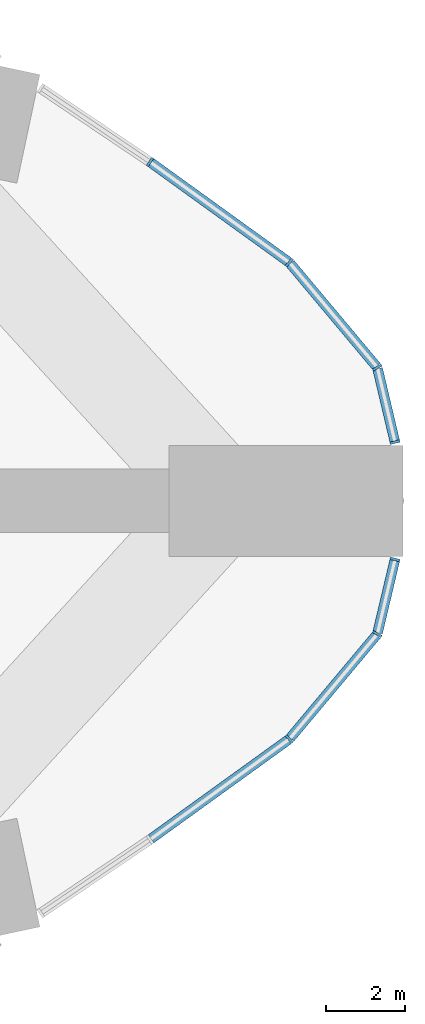
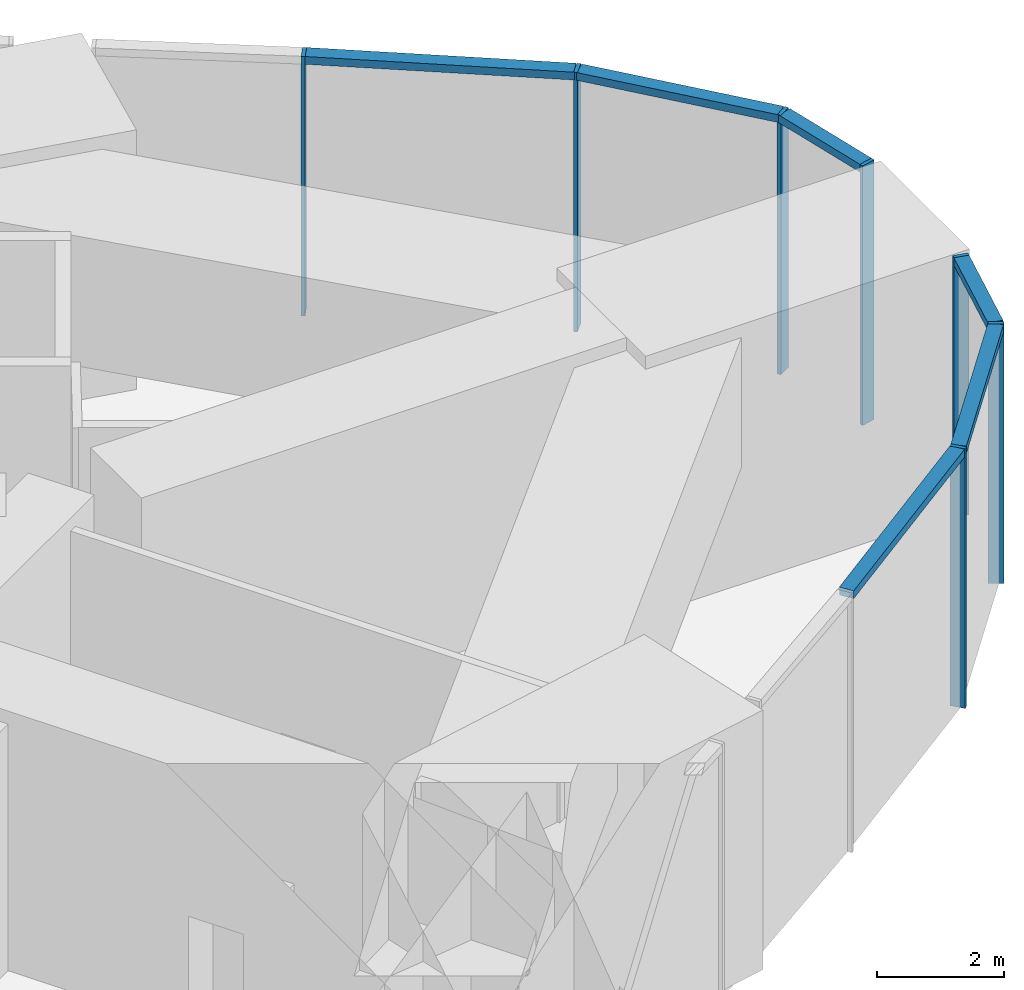
# One storey, part 13 of 21: 13 members, 2 elements without a shape of their own.
"""IFC4 building model written with IfcOpenShell, lengths in metres."""

from ifc_helpers import new_model, si_unit, direction, frame, origin, origin_2d, place, context, subcontext, project, spatial, rectangle, extrude, material, material_profile, profile_set, type_object, element, aggregate, save


model = new_model("IFC4")

# Units and contexts
model_context = context("Model", 3, precision=1e-05, world=origin(), true_north=direction((0.0, 1.0)))
body_context = subcontext(model_context, "Body", "Model", "MODEL_VIEW")
ifc_project = project(units=[si_unit("LENGTHUNIT", "METRE"), si_unit("AREAUNIT", "SQUARE_METRE"), si_unit("VOLUMEUNIT", "CUBIC_METRE"), si_unit("PLANEANGLEUNIT", "RADIAN"), si_unit("MASSUNIT", "GRAM", prefix="KILO")], contexts=[model_context])

# Site, building, storey
site_placement = place(None, origin())
site = spatial("IfcSite", under=ifc_project, at=site_placement, CompositionType="ELEMENT")
building_placement = place(site_placement, origin())
building = spatial("IfcBuilding", under=site, at=building_placement, Name="Lancet Gate Hotel", CompositionType="ELEMENT")
storey_placement = place(building_placement, frame((0.0, 0.0, 205.300048828125)))
storey = spatial("IfcBuildingStorey", under=building, at=storey_placement, Name="L55", CompositionType="ELEMENT", Elevation=205.300048828125)

# Curtain wall, members
ifc_material_1 = material(Name="Aluminium curtain wall", Category="aluminium")
curtain_wall_type = type_object("IfcCurtainWallType", Name="Refuge storey louvred curtain wall", PredefinedType="USERDEFINED", material=ifc_material_1)
curtain_wall_1_placement = place(storey_placement, origin())
curtain_wall_1 = element("IfcCurtainWall", 1, at=curtain_wall_1_placement, inside=storey, type_object=curtain_wall_type, Name="T2 L55 curtain wall 5", ObjectType="LANTERN GLAZING", PredefinedType="USERDEFINED")
ifc_material_2 = material(Name="Aluminium mullion", Category="aluminium")
ifc_material_profile_1 = material_profile(ifc_material_2, rectangle(XDim=0.06494140625, YDim=0.25, at=origin_2d()), Name="MULLION 65x250")
ifc_profile_set_1 = profile_set([ifc_material_profile_1], Name="Aluminium mullion")
member_type_1 = type_object("IfcMemberType", Name="Aluminium mullion 65x250", PredefinedType="MULLION", material=ifc_profile_set_1)
member_1_placement = place(storey_placement, frame((64.174560546875, -6.01123046875, 0.0), z_axis=(0.0, 0.0, 1.0), x_axis=(0.741693452951, 0.670739011725, 0.0)))
member_1 = element("IfcMember", 2, at=member_1_placement, type_object=member_type_1, Name="T2 L55 curtain wall 5 mullion 3", PredefinedType="MULLION", context=body_context, shape_type="SweptSolid", body=[
    extrude(rectangle(XDim=0.06494140625, YDim=0.25, at=origin_2d()), origin(), (0.0, 0.0, 1.0), 5.0),
])
member_2_placement = place(storey_placement, frame((66.3935546875, -3.362548828125, 0.0), z_axis=(0.0, 0.0, 1.0), x_axis=(0.506941142376, 0.861980671574, 0.0)))
member_2 = element("IfcMember", 3, at=member_2_placement, type_object=member_type_1, Name="T2 L55 curtain wall 5 mullion 4", PredefinedType="MULLION", context=body_context, shape_type="SweptSolid", body=[
    extrude(rectangle(XDim=0.06494140625, YDim=0.25, at=origin_2d()), origin(), (0.0, 0.0, 1.0), 5.0),
])
member_3_placement = place(storey_placement, frame((66.839111328125, -1.48046875, 0.0), z_axis=(0.0, 0.0, 1.0), x_axis=(0.230366568544, 0.973103922558, 0.0)))
member_3 = element("IfcMember", 4, at=member_3_placement, type_object=member_type_1, Name="T2 L55 curtain wall 5 mullion 5", PredefinedType="MULLION", context=body_context, shape_type="SweptSolid", body=[
    extrude(rectangle(XDim=0.06494140625, YDim=0.25, at=origin_2d()), origin(), (0.0, 0.0, 1.0), 5.0),
])

curtain_wall_2_placement = place(storey_placement, origin())
curtain_wall_2 = element("IfcCurtainWall", 5, at=curtain_wall_2_placement, inside=storey, type_object=curtain_wall_type, Name="T2 L55 curtain wall 6", ObjectType="LANTERN GLAZING", PredefinedType="USERDEFINED")
member_4_placement = place(storey_placement, frame((66.839111328125, 1.48046875, 0.0), z_axis=(0.0, 0.0, 1.0), x_axis=(-0.230366568544, 0.973103922558, 0.0)))
member_4 = element("IfcMember", 6, at=member_4_placement, type_object=member_type_1, Name="T2 L55 curtain wall 6 mullion 1", PredefinedType="MULLION", context=body_context, shape_type="SweptSolid", body=[
    extrude(rectangle(XDim=0.06494140625, YDim=0.25, at=origin_2d()), origin(), (0.0, 0.0, 1.0), 5.0),
])
member_5_placement = place(storey_placement, frame((66.3935546875, 3.362548828125, 0.0), z_axis=(0.0, 0.0, 1.0), x_axis=(-0.506941142376, 0.861980671574, 0.0)))
member_5 = element("IfcMember", 7, at=member_5_placement, type_object=member_type_1, Name="T2 L55 curtain wall 6 mullion 2", PredefinedType="MULLION", context=body_context, shape_type="SweptSolid", body=[
    extrude(rectangle(XDim=0.06494140625, YDim=0.25, at=origin_2d()), origin(), (0.0, 0.0, 1.0), 5.0),
])
member_6_placement = place(storey_placement, frame((64.174560546875, 6.01123046875, 0.0), z_axis=(0.0, 0.0, 1.0), x_axis=(-0.741693452951, 0.670739011725, 0.0)))
member_6 = element("IfcMember", 8, at=member_6_placement, type_object=member_type_1, Name="T2 L55 curtain wall 6 mullion 3", PredefinedType="MULLION", context=body_context, shape_type="SweptSolid", body=[
    extrude(rectangle(XDim=0.06494140625, YDim=0.25, at=origin_2d()), origin(), (0.0, 0.0, 1.0), 5.0),
])
member_7_placement = place(storey_placement, frame((60.66015625, 8.547607421875, 0.0), z_axis=(0.0, 0.0, 1.0), x_axis=(-0.818865629358, 0.573985262055, 0.0)))
member_7 = element("IfcMember", 9, at=member_7_placement, type_object=member_type_1, Name="T2 L55 curtain wall 6 mullion 4", PredefinedType="MULLION", context=body_context, shape_type="SweptSolid", body=[
    extrude(rectangle(XDim=0.06494140625, YDim=0.25, at=origin_2d()), origin(), (0.0, 0.0, 1.0), 5.0),
])

# Member
ifc_material_3 = material(Name="Aluminium transom", Category="aluminium")
ifc_material_profile_2 = material_profile(ifc_material_3, rectangle(XDim=0.25, YDim=0.14990234375, at=origin_2d()), Name="TRANSOM 250x150")
ifc_profile_set_2 = profile_set([ifc_material_profile_2], Name="Aluminium transom")
member_type_2 = type_object("IfcMemberType", Name="Aluminium transom 250x150", PredefinedType="USERDEFINED", material=ifc_profile_set_2)
member_8_placement = place(storey_placement, frame((60.6865234375, -8.528564453125, 4.925048828125), z_axis=(0.810879747578, 0.585212811691, 0.0), x_axis=(-0.585212811691, 0.810879747578, 0.0)))
member_8 = element("IfcMember", 10, at=member_8_placement, type_object=member_type_2, Name="T2 L55 curtain wall 5 transom 2", ObjectType="TRANSOM", PredefinedType="USERDEFINED", context=body_context, shape_type="SweptSolid", body=[
    extrude(rectangle(XDim=0.25, YDim=0.14990234375, at=origin_2d()), origin(), (0.0, 0.0, 1.0), 4.26904296875),
])

member_9_placement = place(storey_placement, frame((64.1953125, -5.986328125, 4.925048828125), z_axis=(0.642229010215, 0.766512816878, 0.0), x_axis=(-0.766512816878, 0.642229010215, 0.0)))
member_9 = element("IfcMember", 11, at=member_9_placement, type_object=member_type_2, Name="T2 L55 curtain wall 5 transom 3", ObjectType="TRANSOM", PredefinedType="USERDEFINED", context=body_context, shape_type="SweptSolid", body=[
    extrude(rectangle(XDim=0.25, YDim=0.14990234375, at=origin_2d()), origin(), (0.0, 0.0, 1.0), 3.390625),
])

member_10_placement = place(storey_placement, frame((66.401123046875, -3.3310546875, 4.925048828125), z_axis=(0.230378516928, 0.973101093894, 0.0), x_axis=(-0.973101093894, 0.230378516928, 0.0)))
member_10 = element("IfcMember", 12, at=member_10_placement, type_object=member_type_2, Name="T2 L55 curtain wall 5 transom 4", ObjectType="TRANSOM", PredefinedType="USERDEFINED", context=body_context, shape_type="SweptSolid", body=[
    extrude(rectangle(XDim=0.25, YDim=0.14990234375, at=origin_2d()), origin(), (0.0, 0.0, 1.0), 1.869384765625),
])

aggregate(curtain_wall_1, [member_1, member_2, member_3, member_8, member_9, member_10])

member_11_placement = place(storey_placement, frame((66.831787109375, 1.511962890625, 4.925048828125), z_axis=(-0.230378516928, 0.973101093894, 0.0), x_axis=(-0.973101093894, -0.230378516928, 0.0)))
member_11 = element("IfcMember", 13, at=member_11_placement, type_object=member_type_2, Name="T2 L55 curtain wall 6 transom 1", ObjectType="TRANSOM", PredefinedType="USERDEFINED", context=body_context, shape_type="SweptSolid", body=[
    extrude(rectangle(XDim=0.25, YDim=0.14990234375, at=origin_2d()), origin(), (0.0, 0.0, 1.0), 1.869384765625),
])

member_12_placement = place(storey_placement, frame((66.372802734375, 3.387451171875, 4.925048828125), z_axis=(-0.642229010215, 0.766512816878, 0.0), x_axis=(-0.766512816878, -0.642229010215, 0.0)))
member_12 = element("IfcMember", 14, at=member_12_placement, type_object=member_type_2, Name="T2 L55 curtain wall 6 transom 2", ObjectType="TRANSOM", PredefinedType="USERDEFINED", context=body_context, shape_type="SweptSolid", body=[
    extrude(rectangle(XDim=0.25, YDim=0.14990234375, at=origin_2d()), origin(), (0.0, 0.0, 1.0), 3.390625),
])

member_13_placement = place(storey_placement, frame((64.148193359375, 6.0302734375, 4.925048828125), z_axis=(-0.810879747578, 0.585212811691, 0.0), x_axis=(-0.585212811691, -0.810879747578, 0.0)))
member_13 = element("IfcMember", 15, at=member_13_placement, type_object=member_type_2, Name="T2 L55 curtain wall 6 transom 3", ObjectType="TRANSOM", PredefinedType="USERDEFINED", context=body_context, shape_type="SweptSolid", body=[
    extrude(rectangle(XDim=0.25, YDim=0.14990234375, at=origin_2d()), origin(), (0.0, 0.0, 1.0), 4.26904296875),
])

aggregate(curtain_wall_2, [member_4, member_5, member_6, member_7, member_11, member_12, member_13])

save(model, "model.ifc")
